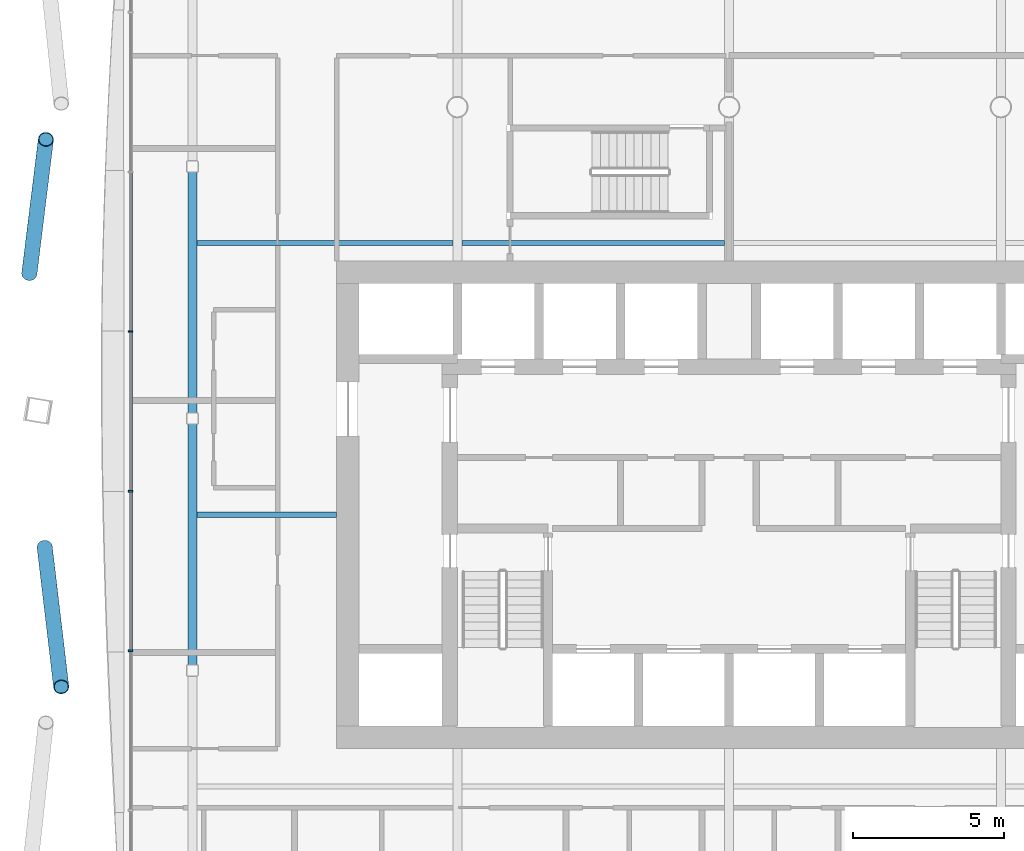
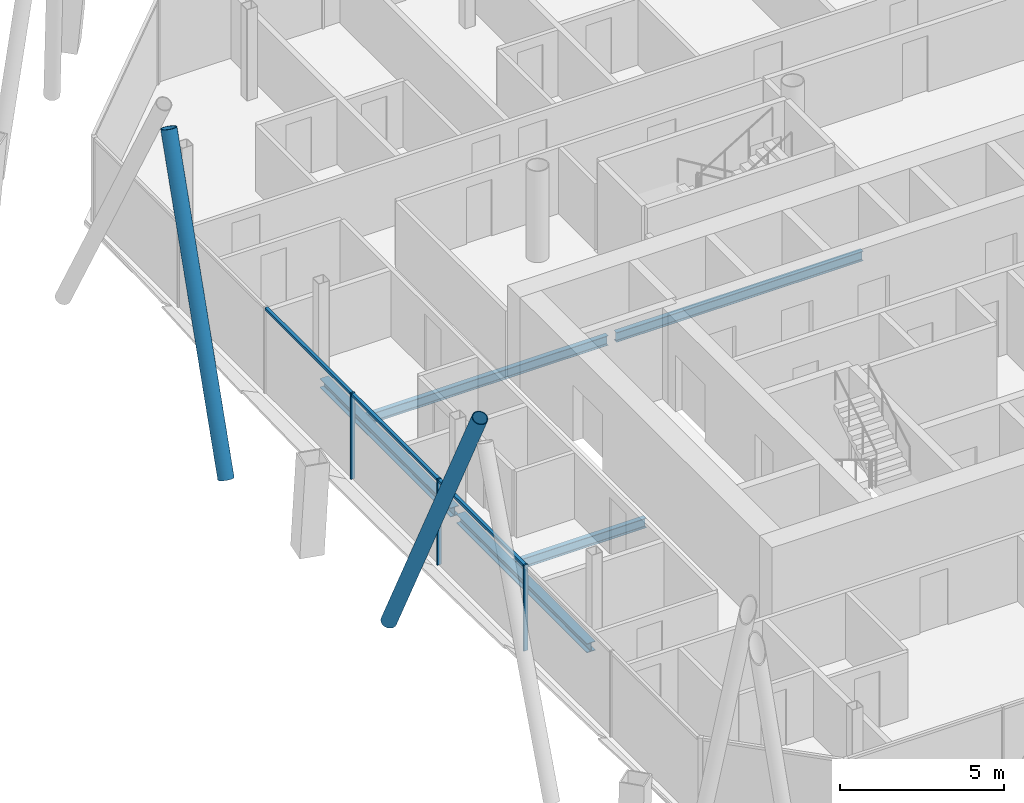
# One storey, part 5 of 23: 8 members, 5 beams, 1 element without a shape of its own.
"""IFC4 building model written with IfcOpenShell, lengths in metres."""

from ifc_helpers import new_model, si_unit, direction, frame, origin, origin_2d, place, context, subcontext, project, spatial, rectangle, hollow_circle, i_section, extrude, material, material_profile, profile_set, type_object, element, aggregate, save


model = new_model("IFC4")

# Units and contexts
model_context = context("Model", 3, precision=1e-05, world=origin(), true_north=direction((0.0, 1.0)))
body_context = subcontext(model_context, "Body", "Model", "MODEL_VIEW")
ifc_project = project(units=[si_unit("LENGTHUNIT", "METRE"), si_unit("AREAUNIT", "SQUARE_METRE"), si_unit("VOLUMEUNIT", "CUBIC_METRE"), si_unit("PLANEANGLEUNIT", "RADIAN"), si_unit("MASSUNIT", "GRAM", prefix="KILO")], contexts=[model_context])

# Site, building, storey
site_placement = place(None, origin())
site = spatial("IfcSite", under=ifc_project, at=site_placement, CompositionType="ELEMENT")
building_placement = place(site_placement, origin())
building = spatial("IfcBuilding", under=site, at=building_placement, Name="Tskaro Facet Tower", CompositionType="ELEMENT")
storey_placement = place(building_placement, frame((0.0, 0.0, 131.699951171875)))
storey = spatial("IfcBuildingStorey", under=building, at=storey_placement, Name="L31", CompositionType="ELEMENT", Elevation=131.699951171875)

# Members
ifc_material_1 = material(Name="Steel S355J2H", Category="steel")
ifc_material_profile_1 = material_profile(ifc_material_1, hollow_circle(Radius=0.25390625, WallThickness=0.02490234375, at=origin_2d()), Name="CHS 508x25")
ifc_profile_set_1 = profile_set([ifc_material_profile_1], Name="Steel S355J2H")
member_type_1 = type_object("IfcMemberType", Name="CHS 508x25 brace", PredefinedType="BRACE", material=ifc_profile_set_1)
member_1_placement = place(storey_placement, frame((-23.17333984375, 3.487060546875, 0.0), z_axis=(0.049181287012, 0.398929494737, 0.915661760279), x_axis=(-0.992486174585, 0.122356827589, 0.0)))
element("IfcMember", 1, at=member_1_placement, inside=storey, type_object=member_type_1, Name="CHS 508x25 XB10B/3", PredefinedType="BRACE", context=body_context, shape_type="SweptSolid", body=[
    extrude(hollow_circle(Radius=0.25390625, WallThickness=0.02490234375, at=origin_2d()), origin(), (0.0, 0.0, 1.0), 11.139404296875),
])
member_2_placement = place(storey_placement, frame((-22.665283203125, -5.580322265625, 0.0), z_axis=(0.048861989092, -0.412343800107, 0.909717042017), x_axis=(0.993052175923, 0.117674873674, 0.0)))
element("IfcMember", 2, at=member_2_placement, inside=storey, type_object=member_type_1, Name="CHS 508x25 XB11A/3", PredefinedType="BRACE", context=body_context, shape_type="SweptSolid", body=[
    extrude(hollow_circle(Radius=0.25390625, WallThickness=0.02490234375, at=origin_2d()), origin(), (0.0, 0.0, 1.0), 11.212158203125),
])

# Curtain wall, members
ifc_material_2 = material(Name="Bronze anodised aluminium 6063-T6", Category="aluminium")
curtain_wall_type = type_object("IfcCurtainWallType", Name="Bronze hotel curtain wall (FW2)", PredefinedType="NOTDEFINED", material=ifc_material_2)
curtain_wall_placement = place(storey_placement, origin())
curtain_wall = element("IfcCurtainWall", 3, at=curtain_wall_placement, inside=storey, type_object=curtain_wall_type, Name="FW2 west facet L31", PredefinedType="NOTDEFINED")
ifc_material_profile_2 = material_profile(ifc_material_2, rectangle(XDim=0.06005859375, YDim=0.14990234375, at=origin_2d()), Name="Mullion 60x150")
ifc_profile_set_2 = profile_set([ifc_material_profile_2], Name="Bronze anodised aluminium 6063-T6")
member_type_2 = type_object("IfcMemberType", Name="FW2 bronze mullion 60x150", PredefinedType="MULLION", material=ifc_profile_set_2)
member_3_placement = place(storey_placement, frame((-19.820068359375, 1.566650390625, 0.0), z_axis=(0.0, 0.0, 1.0), x_axis=(0.0, -1.0, 0.0)))
member_3 = element("IfcMember", 4, at=member_3_placement, type_object=member_type_2, Name="FW2 west mullion 3", PredefinedType="MULLION", context=body_context, shape_type="SweptSolid", body=[
    extrude(rectangle(XDim=0.06005859375, YDim=0.14990234375, at=origin_2d()), origin(), (0.0, 0.0, 1.0), 3.199951171875),
])
member_4_placement = place(storey_placement, frame((-19.820068359375, -3.718505859375, 0.0), z_axis=(0.0, 0.0, 1.0), x_axis=(0.0, -1.0, 0.0)))
member_4 = element("IfcMember", 5, at=member_4_placement, type_object=member_type_2, Name="FW2 west mullion 4", PredefinedType="MULLION", context=body_context, shape_type="SweptSolid", body=[
    extrude(rectangle(XDim=0.06005859375, YDim=0.14990234375, at=origin_2d()), origin(), (0.0, 0.0, 1.0), 3.199951171875),
])
member_5_placement = place(storey_placement, frame((-19.820068359375, -9.003662109375, 0.0), z_axis=(0.0, 0.0, 1.0), x_axis=(0.0, -1.0, 0.0)))
member_5 = element("IfcMember", 6, at=member_5_placement, type_object=member_type_2, Name="FW2 west mullion 5", PredefinedType="MULLION", context=body_context, shape_type="SweptSolid", body=[
    extrude(rectangle(XDim=0.06005859375, YDim=0.14990234375, at=origin_2d()), origin(), (0.0, 0.0, 1.0), 3.199951171875),
])
ifc_material_profile_3 = material_profile(ifc_material_2, rectangle(XDim=0.110107421875, YDim=0.10009765625, at=origin_2d()), Name="Transom 110x100")
ifc_profile_set_3 = profile_set([ifc_material_profile_3], Name="Bronze anodised aluminium 6063-T6")
member_type_3 = type_object("IfcMemberType", Name="FW2 bronze transom 110x100", PredefinedType="USERDEFINED", material=ifc_profile_set_3)
member_6_placement = place(storey_placement, frame((-19.820068359375, 6.82177734375, 3.150146484375), z_axis=(0.0, -1.0, 0.0), x_axis=(1.0, 0.0, 0.0)))
member_6 = element("IfcMember", 7, at=member_6_placement, type_object=member_type_3, Name="FW2 west transom 3.1", ObjectType="TRANSOM", PredefinedType="USERDEFINED", context=body_context, shape_type="SweptSolid", body=[
    extrude(rectangle(XDim=0.110107421875, YDim=0.10009765625, at=origin_2d()), origin(), (0.0, 0.0, 1.0), 5.22509765625),
])
member_7_placement = place(storey_placement, frame((-19.820068359375, 1.53662109375, 3.150146484375), z_axis=(0.0, -1.0, 0.0), x_axis=(1.0, 0.0, 0.0)))
member_7 = element("IfcMember", 8, at=member_7_placement, type_object=member_type_3, Name="FW2 west transom 4.1", ObjectType="TRANSOM", PredefinedType="USERDEFINED", context=body_context, shape_type="SweptSolid", body=[
    extrude(rectangle(XDim=0.110107421875, YDim=0.10009765625, at=origin_2d()), origin(), (0.0, 0.0, 1.0), 5.22509765625),
])
member_8_placement = place(storey_placement, frame((-19.820068359375, -3.74853515625, 3.150146484375), z_axis=(0.0, -1.0, 0.0), x_axis=(1.0, 0.0, 0.0)))
member_8 = element("IfcMember", 9, at=member_8_placement, type_object=member_type_3, Name="FW2 west transom 5.1", ObjectType="TRANSOM", PredefinedType="USERDEFINED", context=body_context, shape_type="SweptSolid", body=[
    extrude(rectangle(XDim=0.110107421875, YDim=0.10009765625, at=origin_2d()), origin(), (0.0, 0.0, 1.0), 5.22509765625),
])
aggregate(curtain_wall, [member_3, member_4, member_5, member_6, member_7, member_8])

# Beams
ifc_material_3 = material(Name="Steel S355J2", Category="steel")
ifc_material_profile_4 = material_profile(ifc_material_3, i_section(OverallWidth=0.300048828125, OverallDepth=0.340087890625, WebThickness=0.011962890625, FlangeThickness=0.021484375, FilletRadius=0.027099609375, at=origin_2d()), Name="HE 340 B")
ifc_profile_set_4 = profile_set([ifc_material_profile_4], Name="Steel S355J2")
beam_type_1 = type_object("IfcBeamType", Name="HE 340 B ring beam", PredefinedType="BEAM", material=ifc_profile_set_4)
beam_1_placement = place(storey_placement, frame((-17.77392578125, 6.845947265625, -0.31005859375), z_axis=(0.0, -1.0, 0.0), x_axis=(1.0, 0.0, 0.0)))
element("IfcBeam", 10, at=beam_1_placement, inside=storey, type_object=beam_type_1, Name="HE 340 B EB17-3", PredefinedType="BEAM", context=body_context, shape_type="SweptSolid", body=[
    extrude(i_section(OverallWidth=0.300048828125, OverallDepth=0.340087890625, WebThickness=0.011962890625, FlangeThickness=0.021484375, FilletRadius=0.027099609375, at=origin_2d()), origin(), (0.0, 0.0, 1.0), 7.98095703125),
])
beam_2_placement = place(storey_placement, frame((-17.77392578125, -1.4951171875, -0.31005859375), z_axis=(0.0, -1.0, 0.0), x_axis=(1.0, 0.0, 0.0)))
element("IfcBeam", 11, at=beam_2_placement, inside=storey, type_object=beam_type_1, Name="HE 340 B EB18-3", PredefinedType="BEAM", context=body_context, shape_type="SweptSolid", body=[
    extrude(i_section(OverallWidth=0.300048828125, OverallDepth=0.340087890625, WebThickness=0.011962890625, FlangeThickness=0.021484375, FilletRadius=0.027099609375, at=origin_2d()), origin(), (0.0, 0.0, 1.0), 7.98193359375),
])
ifc_material_profile_5 = material_profile(ifc_material_3, i_section(OverallWidth=0.169921875, OverallDepth=0.360107421875, WebThickness=0.008056640625, FlangeThickness=0.0126953125, FilletRadius=0.01806640625, at=origin_2d()), Name="IPE 360")
ifc_profile_set_5 = profile_set([ifc_material_profile_5], Name="Steel S355J2")
beam_type_2 = type_object("IfcBeamType", Name="IPE 360 secondary beam", PredefinedType="BEAM", material=ifc_profile_set_5)
beam_3_placement = place(storey_placement, frame((-17.6240234375, -4.5, -0.320068359375), z_axis=(1.0, 0.0, 0.0), x_axis=(0.0, 1.0, 0.0)))
element("IfcBeam", 12, at=beam_3_placement, inside=storey, type_object=beam_type_2, Name="IPE 360 SB3a-1-3", PredefinedType="BEAM", context=body_context, shape_type="SweptSolid", body=[
    extrude(i_section(OverallWidth=0.169921875, OverallDepth=0.360107421875, WebThickness=0.008056640625, FlangeThickness=0.0126953125, FilletRadius=0.01806640625, at=origin_2d()), origin(), (0.0, 0.0, 1.0), 4.6240234375),
])
beam_4_placement = place(storey_placement, frame((-17.6240234375, 4.5, -0.320068359375), z_axis=(1.0, 0.0, 0.0), x_axis=(0.0, 1.0, 0.0)))
element("IfcBeam", 13, at=beam_4_placement, inside=storey, type_object=beam_type_2, Name="IPE 360 SB4a-1-3", PredefinedType="BEAM", context=body_context, shape_type="SweptSolid", body=[
    extrude(i_section(OverallWidth=0.169921875, OverallDepth=0.360107421875, WebThickness=0.008056640625, FlangeThickness=0.0126953125, FilletRadius=0.01806640625, at=origin_2d()), origin(), (0.0, 0.0, 1.0), 8.47412109375),
])
beam_5_placement = place(storey_placement, frame((-8.85009765625, 4.5, -0.320068359375), z_axis=(1.0, 0.0, 0.0), x_axis=(0.0, 1.0, 0.0)))
element("IfcBeam", 14, at=beam_5_placement, inside=storey, type_object=beam_type_2, Name="IPE 360 SB4a-2-3", PredefinedType="BEAM", context=body_context, shape_type="SweptSolid", body=[
    extrude(i_section(OverallWidth=0.169921875, OverallDepth=0.360107421875, WebThickness=0.008056640625, FlangeThickness=0.0126953125, FilletRadius=0.01806640625, at=origin_2d()), origin(), (0.0, 0.0, 1.0), 8.7001953125),
])

save(model, "model.ifc")
